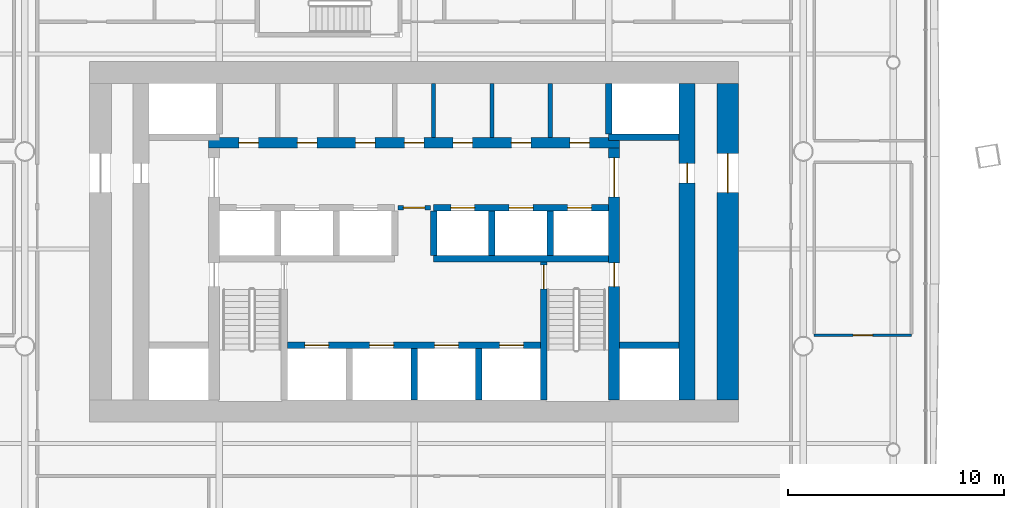
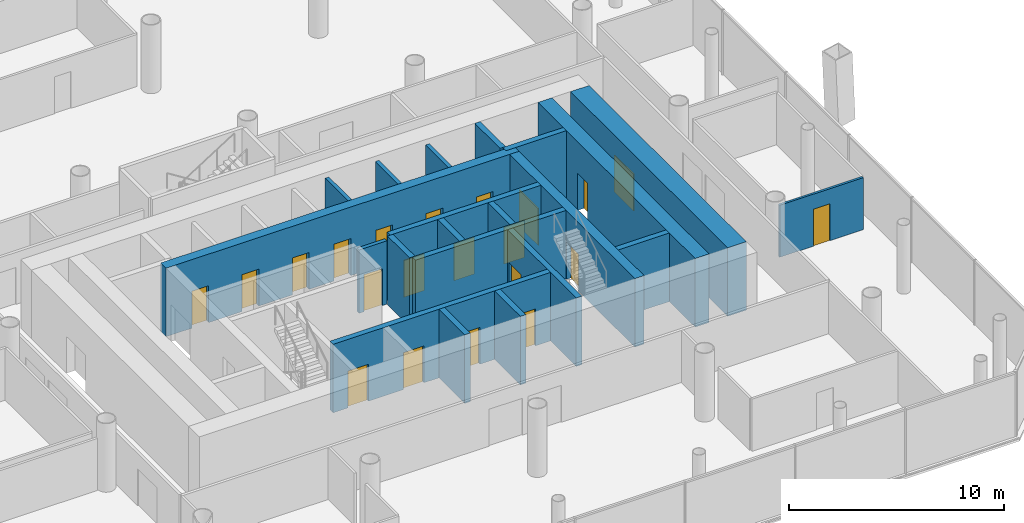
# One storey, part 14 of 21: 21 doors, 21 walls, 21 openings.
"""IFC4 building model written with IfcOpenShell, lengths in metres."""

from ifc_helpers import new_model, si_unit, direction, frame, frame_2d, origin, place, context, subcontext, project, spatial, rectangle, extrude, material, layer, layer_set, type_object, element, fill, save


model = new_model("IFC4")

# Units and contexts
model_context = context("Model", 3, precision=1e-05, world=origin(), true_north=direction((0.0, 1.0)))
body_context = subcontext(model_context, "Body", "Model", "MODEL_VIEW")
ifc_project = project(units=[si_unit("LENGTHUNIT", "METRE"), si_unit("AREAUNIT", "SQUARE_METRE"), si_unit("VOLUMEUNIT", "CUBIC_METRE"), si_unit("PLANEANGLEUNIT", "RADIAN"), si_unit("MASSUNIT", "GRAM", prefix="KILO")], contexts=[model_context])

# Site, building, storey
site_placement = place(None, origin())
site = spatial("IfcSite", under=ifc_project, at=site_placement, CompositionType="ELEMENT")
building_placement = place(site_placement, origin())
building = spatial("IfcBuilding", under=site, at=building_placement, Name="Tskaro Facet Tower", CompositionType="ELEMENT")
storey_placement = place(building_placement, frame((0.0, 0.0, 38.10009765625)))
storey = spatial("IfcBuildingStorey", under=building, at=storey_placement, Name="L08", CompositionType="ELEMENT", Elevation=38.10009765625)

# Wall, openings, doors
ifc_material_1 = material(Name="Concrete C60/75", Category="concrete")
ifc_layer_1 = layer(ifc_material_1, 0.300048828125, Name="Concrete C60/75")
ifc_layer_set_1 = layer_set([ifc_layer_1], Name="Concrete C60/75")
wall_type_1 = type_object("IfcWallType", Name="CORE-SHAFT", PredefinedType="SHEAR", material=ifc_layer_set_1)
wall_1_placement = place(storey_placement, frame((-5.85009765625, -8.949951171875, 0.0), z_axis=(0.0, 0.0, 1.0), x_axis=(1.0, 0.0, 0.0)))
wall_1 = element("IfcWall", 1, at=wall_1_placement, inside=storey, type_object=wall_type_1, Name="Shaft wall W006", PredefinedType="SHEAR", context=body_context, shape_type="SweptSolid", body=[
    extrude(rectangle(XDim=11.7001953125, YDim=0.300048828125, at=frame_2d((5.85009765625, 0.0))), origin(), (0.0, 0.0, 1.0), 3.89990234375),
])
opening_1_placement = place(wall_1_placement, frame((0.800048828125, 0.0, 0.0)))
opening_1 = element("IfcOpeningElement", 2, at=opening_1_placement, cuts=wall_1, Name="Opening LD-FF1", PredefinedType="OPENING", context=body_context, shape_type="SweptSolid", body=[
    extrude(rectangle(XDim=1.10009765625, YDim=2.10009765625, at=frame_2d((0.550048828125, 1.050048828125))), frame((0.0, 0.159912109375, 0.0), z_axis=(0.0, -1.0, 0.0), x_axis=(1.0, 0.0, 0.0)), (0.0, 0.0, 1.0), 0.320068359375),
])
opening_2_placement = place(wall_1_placement, frame((3.800048828125, 0.0, 0.0)))
opening_2 = element("IfcOpeningElement", 3, at=opening_2_placement, cuts=wall_1, Name="Opening LD-FF2", PredefinedType="OPENING", context=body_context, shape_type="SweptSolid", body=[
    extrude(rectangle(XDim=1.10009765625, YDim=2.10009765625, at=frame_2d((0.550048828125, 1.050048828125))), frame((0.0, 0.159912109375, 0.0), z_axis=(0.0, -1.0, 0.0), x_axis=(1.0, 0.0, 0.0)), (0.0, 0.0, 1.0), 0.320068359375),
])
opening_3_placement = place(wall_1_placement, frame((6.800048828125, 0.0, 0.0)))
opening_3 = element("IfcOpeningElement", 4, at=opening_3_placement, cuts=wall_1, Name="Opening LD-SV1", PredefinedType="OPENING", context=body_context, shape_type="SweptSolid", body=[
    extrude(rectangle(XDim=1.10009765625, YDim=2.10009765625, at=frame_2d((0.550048828125, 1.050048828125))), frame((0.0, 0.159912109375, 0.0), z_axis=(0.0, -1.0, 0.0), x_axis=(1.0, 0.0, 0.0)), (0.0, 0.0, 1.0), 0.320068359375),
])
opening_4_placement = place(wall_1_placement, frame((9.800048828125, 0.0, 0.0)))
opening_4 = element("IfcOpeningElement", 5, at=opening_4_placement, cuts=wall_1, Name="Opening LD-SV2", PredefinedType="OPENING", context=body_context, shape_type="SweptSolid", body=[
    extrude(rectangle(XDim=1.10009765625, YDim=2.10009765625, at=frame_2d((0.550048828125, 1.050048828125))), frame((0.0, 0.159912109375, 0.0), z_axis=(0.0, -1.0, 0.0), x_axis=(1.0, 0.0, 0.0)), (0.0, 0.0, 1.0), 0.320068359375),
])
ifc_material_2 = material(Name="Stainless steel", Category="steel")
door_type_1 = type_object("IfcDoorType", Name="D-LANDING", OperationType="NOTDEFINED", PredefinedType="DOOR", material=ifc_material_2)
door_1_placement = place(opening_1_placement, origin())
door_1 = element("IfcDoor", 6, at=door_1_placement, inside=storey, type_object=door_type_1, Name="Landing door FF1", OperationType="DOUBLE_DOOR_SLIDING", OverallHeight=2.10009765625, OverallWidth=1.10009765625, PredefinedType="DOOR", context=body_context, shape_type="SweptSolid", body=[
    extrude(rectangle(XDim=1.10009765625, YDim=2.10009765625, at=frame_2d((0.550048828125, 1.050048828125))), frame((0.0, 0.02490234375, 0.0), z_axis=(0.0, -1.0, 0.0), x_axis=(1.0, 0.0, 0.0)), (0.0, 0.0, 1.0), 0.050048828125),
])
fill(opening_1, door_1)
door_2_placement = place(opening_2_placement, origin())
door_2 = element("IfcDoor", 7, at=door_2_placement, inside=storey, type_object=door_type_1, Name="Landing door FF2", OperationType="DOUBLE_DOOR_SLIDING", OverallHeight=2.10009765625, OverallWidth=1.10009765625, PredefinedType="DOOR", context=body_context, shape_type="SweptSolid", body=[
    extrude(rectangle(XDim=1.10009765625, YDim=2.10009765625, at=frame_2d((0.550048828125, 1.050048828125))), frame((0.0, 0.02490234375, 0.0), z_axis=(0.0, -1.0, 0.0), x_axis=(1.0, 0.0, 0.0)), (0.0, 0.0, 1.0), 0.050048828125),
])
fill(opening_2, door_2)
door_3_placement = place(opening_3_placement, origin())
door_3 = element("IfcDoor", 8, at=door_3_placement, inside=storey, type_object=door_type_1, Name="Landing door SV1", OperationType="DOUBLE_DOOR_SLIDING", OverallHeight=2.10009765625, OverallWidth=1.10009765625, PredefinedType="DOOR", context=body_context, shape_type="SweptSolid", body=[
    extrude(rectangle(XDim=1.10009765625, YDim=2.10009765625, at=frame_2d((0.550048828125, 1.050048828125))), frame((0.0, 0.02490234375, 0.0), z_axis=(0.0, -1.0, 0.0), x_axis=(1.0, 0.0, 0.0)), (0.0, 0.0, 1.0), 0.050048828125),
])
fill(opening_3, door_3)
door_4_placement = place(opening_4_placement, origin())
door_4 = element("IfcDoor", 9, at=door_4_placement, inside=storey, type_object=door_type_1, Name="Landing door SV2", OperationType="DOUBLE_DOOR_SLIDING", OverallHeight=2.10009765625, OverallWidth=1.10009765625, PredefinedType="DOOR", context=body_context, shape_type="SweptSolid", body=[
    extrude(rectangle(XDim=1.10009765625, YDim=2.10009765625, at=frame_2d((0.550048828125, 1.050048828125))), frame((0.0, 0.02490234375, 0.0), z_axis=(0.0, -1.0, 0.0), x_axis=(1.0, 0.0, 0.0)), (0.0, 0.0, 1.0), 0.050048828125),
])
fill(opening_4, door_4)

# Walls
wall_2_placement = place(storey_placement, frame((9.5, -8.949951171875, 0.0), z_axis=(0.0, 0.0, 1.0), x_axis=(1.0, 0.0, 0.0)))
element("IfcWall", 10, at=wall_2_placement, inside=storey, type_object=wall_type_1, Name="Shaft wall W007", PredefinedType="SHEAR", context=body_context, shape_type="SweptSolid", body=[
    extrude(rectangle(XDim=2.75, YDim=0.300048828125, at=frame_2d((1.375, 0.0))), origin(), (0.0, 0.0, 1.0), 3.89990234375),
])
wall_3_placement = place(storey_placement, frame((0.89990234375, -4.949951171875, 0.0), z_axis=(0.0, 0.0, 1.0), x_axis=(1.0, 0.0, 0.0)))
element("IfcWall", 11, at=wall_3_placement, inside=storey, type_object=wall_type_1, Name="Shaft wall W011", PredefinedType="SHEAR", context=body_context, shape_type="SweptSolid", body=[
    extrude(rectangle(XDim=8.10009765625, YDim=0.300048828125, at=frame_2d((4.050048828125, 0.0))), origin(), (0.0, 0.0, 1.0), 3.89990234375),
])

# Wall, openings, doors
wall_4_placement = place(storey_placement, frame((0.89990234375, -2.60009765625, 0.0), z_axis=(0.0, 0.0, 1.0), x_axis=(1.0, 0.0, 0.0)))
wall_4 = element("IfcWall", 12, at=wall_4_placement, inside=storey, type_object=wall_type_1, Name="Shaft wall W014", PredefinedType="SHEAR", context=body_context, shape_type="SweptSolid", body=[
    extrude(rectangle(XDim=8.10009765625, YDim=0.300048828125, at=frame_2d((4.050048828125, 0.0))), origin(), (0.0, 0.0, 1.0), 3.89990234375),
])
opening_5_placement = place(wall_4_placement, frame((0.800048828125, 0.0, 0.0)))
opening_5 = element("IfcOpeningElement", 13, at=opening_5_placement, cuts=wall_4, Name="Opening LD-LR4", PredefinedType="OPENING", context=body_context, shape_type="SweptSolid", body=[
    extrude(rectangle(XDim=1.10009765625, YDim=2.10009765625, at=frame_2d((0.550048828125, 1.050048828125))), frame((0.0, 0.159912109375, 0.0), z_axis=(0.0, -1.0, 0.0), x_axis=(1.0, 0.0, 0.0)), (0.0, 0.0, 1.0), 0.320068359375),
])
opening_6_placement = place(wall_4_placement, frame((3.5, 0.0, 0.0)))
opening_6 = element("IfcOpeningElement", 14, at=opening_6_placement, cuts=wall_4, Name="Opening LD-LR5", PredefinedType="OPENING", context=body_context, shape_type="SweptSolid", body=[
    extrude(rectangle(XDim=1.10009765625, YDim=2.10009765625, at=frame_2d((0.550048828125, 1.050048828125))), frame((0.0, 0.159912109375, 0.0), z_axis=(0.0, -1.0, 0.0), x_axis=(1.0, 0.0, 0.0)), (0.0, 0.0, 1.0), 0.320068359375),
])
opening_7_placement = place(wall_4_placement, frame((6.199951171875, 0.0, 0.0)))
opening_7 = element("IfcOpeningElement", 15, at=opening_7_placement, cuts=wall_4, Name="Opening LD-LR6", PredefinedType="OPENING", context=body_context, shape_type="SweptSolid", body=[
    extrude(rectangle(XDim=1.10009765625, YDim=2.10009765625, at=frame_2d((0.550048828125, 1.050048828125))), frame((0.0, 0.159912109375, 0.0), z_axis=(0.0, -1.0, 0.0), x_axis=(1.0, 0.0, 0.0)), (0.0, 0.0, 1.0), 0.320068359375),
])
door_5_placement = place(opening_5_placement, origin())
door_5 = element("IfcDoor", 16, at=door_5_placement, inside=storey, type_object=door_type_1, Name="Landing door LR4", OperationType="DOUBLE_DOOR_SLIDING", OverallHeight=2.10009765625, OverallWidth=1.10009765625, PredefinedType="DOOR", context=body_context, shape_type="SweptSolid", body=[
    extrude(rectangle(XDim=1.10009765625, YDim=2.10009765625, at=frame_2d((0.550048828125, 1.050048828125))), frame((0.0, 0.02490234375, 0.0), z_axis=(0.0, -1.0, 0.0), x_axis=(1.0, 0.0, 0.0)), (0.0, 0.0, 1.0), 0.050048828125),
])
fill(opening_5, door_5)
door_6_placement = place(opening_6_placement, origin())
door_6 = element("IfcDoor", 17, at=door_6_placement, inside=storey, type_object=door_type_1, Name="Landing door LR5", OperationType="DOUBLE_DOOR_SLIDING", OverallHeight=2.10009765625, OverallWidth=1.10009765625, PredefinedType="DOOR", context=body_context, shape_type="SweptSolid", body=[
    extrude(rectangle(XDim=1.10009765625, YDim=2.10009765625, at=frame_2d((0.550048828125, 1.050048828125))), frame((0.0, 0.02490234375, 0.0), z_axis=(0.0, -1.0, 0.0), x_axis=(1.0, 0.0, 0.0)), (0.0, 0.0, 1.0), 0.050048828125),
])
fill(opening_6, door_6)
door_7_placement = place(opening_7_placement, origin())
door_7 = element("IfcDoor", 18, at=door_7_placement, inside=storey, type_object=door_type_1, Name="Landing door LR6", OperationType="DOUBLE_DOOR_SLIDING", OverallHeight=2.10009765625, OverallWidth=1.10009765625, PredefinedType="DOOR", context=body_context, shape_type="SweptSolid", body=[
    extrude(rectangle(XDim=1.10009765625, YDim=2.10009765625, at=frame_2d((0.550048828125, 1.050048828125))), frame((0.0, 0.02490234375, 0.0), z_axis=(0.0, -1.0, 0.0), x_axis=(1.0, 0.0, 0.0)), (0.0, 0.0, 1.0), 0.050048828125),
])
fill(opening_7, door_7)

# Walls
wall_5_placement = place(storey_placement, frame((12.25, 0.64990234375, 0.0), z_axis=(0.0, 0.0, 1.0), x_axis=(-1.0, 0.0, 0.0)))
element("IfcWall", 19, at=wall_5_placement, inside=storey, type_object=wall_type_1, Name="Shaft wall W020", PredefinedType="SHEAR", context=body_context, shape_type="SweptSolid", body=[
    extrude(rectangle(XDim=3.25, YDim=0.300048828125, at=frame_2d((1.625, 0.0))), origin(), (0.0, 0.0, 1.0), 3.89990234375),
])
wall_6_placement = place(storey_placement, frame((0.0, -11.5, 0.0), z_axis=(0.0, 0.0, 1.0), x_axis=(0.0, 1.0, 0.0)))
element("IfcWall", 20, at=wall_6_placement, inside=storey, type_object=wall_type_1, Name="Shaft wall W059", PredefinedType="SHEAR", context=body_context, shape_type="SweptSolid", body=[
    extrude(rectangle(XDim=2.39990234375, YDim=0.300048828125, at=frame_2d((1.199951171875, 0.0))), origin(), (0.0, 0.0, 1.0), 3.89990234375),
])
wall_7_placement = place(storey_placement, frame((0.89990234375, -4.800048828125, 0.0), z_axis=(0.0, 0.0, 1.0), x_axis=(0.0, 1.0, 0.0)))
element("IfcWall", 21, at=wall_7_placement, inside=storey, type_object=wall_type_1, Name="Shaft wall W060", PredefinedType="SHEAR", context=body_context, shape_type="SweptSolid", body=[
    extrude(rectangle(XDim=2.050048828125, YDim=0.300048828125, at=frame_2d((1.02490234375, 0.0))), origin(), (0.0, 0.0, 1.0), 3.89990234375),
])
wall_8_placement = place(storey_placement, frame((3.0, -11.5, 0.0), z_axis=(0.0, 0.0, 1.0), x_axis=(0.0, 1.0, 0.0)))
element("IfcWall", 22, at=wall_8_placement, inside=storey, type_object=wall_type_1, Name="Shaft wall W063", PredefinedType="SHEAR", context=body_context, shape_type="SweptSolid", body=[
    extrude(rectangle(XDim=2.39990234375, YDim=0.300048828125, at=frame_2d((1.199951171875, 0.0))), origin(), (0.0, 0.0, 1.0), 3.89990234375),
])
wall_9_placement = place(storey_placement, frame((3.60009765625, -4.800048828125, 0.0), z_axis=(0.0, 0.0, 1.0), x_axis=(0.0, 1.0, 0.0)))
element("IfcWall", 23, at=wall_9_placement, inside=storey, type_object=wall_type_1, Name="Shaft wall W064", PredefinedType="SHEAR", context=body_context, shape_type="SweptSolid", body=[
    extrude(rectangle(XDim=2.050048828125, YDim=0.300048828125, at=frame_2d((1.02490234375, 0.0))), origin(), (0.0, 0.0, 1.0), 3.89990234375),
])

# Wall, opening, door
wall_10_placement = place(storey_placement, frame((6.0, -5.10009765625, 0.0), z_axis=(0.0, 0.0, 1.0), x_axis=(0.0, -1.0, 0.0)))
wall_10 = element("IfcWall", 24, at=wall_10_placement, inside=storey, type_object=wall_type_1, Name="Shaft wall W066", PredefinedType="SHEAR", context=body_context, shape_type="SweptSolid", body=[
    extrude(rectangle(XDim=6.39990234375, YDim=0.300048828125, at=frame_2d((3.199951171875, 0.0))), origin(), (0.0, 0.0, 1.0), 3.89990234375),
])
opening_8_placement = place(wall_10_placement, frame((0.14990234375, 0.0, 0.0)))
opening_8 = element("IfcOpeningElement", 25, at=opening_8_placement, cuts=wall_10, Name="Opening ST-2-D1", PredefinedType="OPENING", context=body_context, shape_type="SweptSolid", body=[
    extrude(rectangle(XDim=1.10009765625, YDim=2.10009765625, at=frame_2d((0.550048828125, 1.050048828125))), frame((0.0, 0.159912109375, 0.0), z_axis=(0.0, -1.0, 0.0), x_axis=(1.0, 0.0, 0.0)), (0.0, 0.0, 1.0), 0.320068359375),
])
ifc_material_3 = material(Name="Steel", Category="steel")
door_type_2 = type_object("IfcDoorType", Name="D-STAIR", OperationType="NOTDEFINED", PredefinedType="DOOR", material=ifc_material_3)
door_8_placement = place(opening_8_placement, origin())
door_8 = element("IfcDoor", 26, at=door_8_placement, inside=storey, type_object=door_type_2, Name="Stair door 2", OperationType="SINGLE_SWING_RIGHT", OverallHeight=2.10009765625, OverallWidth=1.10009765625, PredefinedType="DOOR", context=body_context, shape_type="SweptSolid", body=[
    extrude(rectangle(XDim=1.10009765625, YDim=2.10009765625, at=frame_2d((0.550048828125, 1.050048828125))), frame((0.0, 0.02490234375, 0.0), z_axis=(0.0, -1.0, 0.0), x_axis=(1.0, 0.0, 0.0)), (0.0, 0.0, 1.0), 0.050048828125),
])
fill(opening_8, door_8)

# Walls
wall_11_placement = place(storey_placement, frame((6.300048828125, -4.800048828125, 0.0), z_axis=(0.0, 0.0, 1.0), x_axis=(0.0, 1.0, 0.0)))
element("IfcWall", 27, at=wall_11_placement, inside=storey, type_object=wall_type_1, Name="Shaft wall W067", PredefinedType="SHEAR", context=body_context, shape_type="SweptSolid", body=[
    extrude(rectangle(XDim=2.050048828125, YDim=0.300048828125, at=frame_2d((1.02490234375, 0.0))), origin(), (0.0, 0.0, 1.0), 3.89990234375),
])
wall_12_placement = place(storey_placement, frame((9.0, 0.800048828125, 0.0), z_axis=(0.0, 0.0, 1.0), x_axis=(0.0, 1.0, 0.0)))
element("IfcWall", 28, at=wall_12_placement, inside=storey, type_object=wall_type_1, Name="Shaft wall W070", PredefinedType="SHEAR", context=body_context, shape_type="SweptSolid", body=[
    extrude(rectangle(XDim=2.349853515625, YDim=0.300048828125, at=frame_2d((1.1748046875, 0.0))), origin(), (0.0, 0.0, 1.0), 3.89990234375),
])

# Wall, opening, door
ifc_material_4 = material(Name="Concrete C20/25", Category="concrete")
ifc_layer_2 = layer(ifc_material_4, 0.199951171875, Name="Concrete C20/25")
ifc_layer_set_2 = layer_set([ifc_layer_2], Name="Concrete C20/25")
wall_type_2 = type_object("IfcWallType", Name="CORE-WALL", PredefinedType="SOLIDWALL", material=ifc_layer_set_2)
wall_13_placement = place(storey_placement, frame((0.75, -2.60009765625, 0.0), z_axis=(0.0, 0.0, 1.0), x_axis=(-1.0, 0.0, 0.0)))
wall_13 = element("IfcWall", 29, at=wall_13_placement, inside=storey, type_object=wall_type_2, Name="Core room wall W013", PredefinedType="SOLIDWALL", context=body_context, shape_type="SweptSolid", body=[
    extrude(rectangle(XDim=1.5, YDim=0.199951171875, at=frame_2d((0.75, 0.0))), origin(), (0.0, 0.0, 1.0), 3.599853515625),
])
opening_9_placement = place(wall_13_placement, frame((0.25, 0.0, 0.0)))
opening_9 = element("IfcOpeningElement", 30, at=opening_9_placement, cuts=wall_13, Name="Opening FL-D1", PredefinedType="OPENING", context=body_context, shape_type="SweptSolid", body=[
    extrude(rectangle(XDim=1.0, YDim=2.10009765625, at=frame_2d((0.5, 1.050048828125))), frame((0.0, 0.10986328125, 0.0), z_axis=(0.0, -1.0, 0.0), x_axis=(1.0, 0.0, 0.0)), (0.0, 0.0, 1.0), 0.219970703125),
])
door_type_3 = type_object("IfcDoorType", Name="D-LOBBY", OperationType="NOTDEFINED", PredefinedType="DOOR", material=ifc_material_3)
door_9_placement = place(opening_9_placement, origin())
door_9 = element("IfcDoor", 31, at=door_9_placement, inside=storey, type_object=door_type_3, Name="Lobby door FL", OperationType="SINGLE_SWING_RIGHT", OverallHeight=2.10009765625, OverallWidth=1.0, PredefinedType="DOOR", context=body_context, shape_type="SweptSolid", body=[
    extrude(rectangle(XDim=1.0, YDim=2.10009765625, at=frame_2d((0.5, 1.050048828125))), frame((0.0, 0.02490234375, 0.0), z_axis=(0.0, -1.0, 0.0), x_axis=(1.0, 0.0, 0.0)), (0.0, 0.0, 1.0), 0.050048828125),
])
fill(opening_9, door_9)

# Walls
for number, where, z_axis, x_axis, name in (
    (32, (0.89990234375, 0.64990234375, 0.0), (0.0, 0.0, 1.0), (0.0, 1.0, 0.0), "Core room wall W061"),
    (33, (3.60009765625, 0.64990234375, 0.0), (0.0, 0.0, 1.0), (0.0, 1.0, 0.0), "Core room wall W065"),
    (34, (6.300048828125, 0.64990234375, 0.0), (0.0, 0.0, 1.0), (0.0, 1.0, 0.0), "Core room wall W068"),
):
    element("IfcWall", number, at=place(storey_placement, frame(where, z_axis=z_axis, x_axis=x_axis)), inside=storey, type_object=wall_type_2, Name=name, PredefinedType="SOLIDWALL", context=body_context, shape_type="SweptSolid", body=[
        extrude(rectangle(XDim=2.5, YDim=0.199951171875, at=frame_2d((1.25, 0.0))), origin(), (0.0, 0.0, 1.0), 3.599853515625),
    ])

# Wall, opening, door
ifc_layer_3 = layer(ifc_material_1, 1.0, Name="Concrete C60/75")
ifc_layer_set_3 = layer_set([ifc_layer_3], Name="Concrete C60/75")
wall_type_3 = type_object("IfcWallType", Name="Core wall 1000", PredefinedType="SHEAR", material=ifc_layer_set_3)
wall_14_placement = place(storey_placement, frame((14.5, -11.5, 0.0), z_axis=(0.0, 0.0, 1.0), x_axis=(0.0, 1.0, 0.0)))
wall_14 = element("IfcWall", 35, at=wall_14_placement, inside=storey, type_object=wall_type_3, Name="Core wall CW-Z1E", PredefinedType="SHEAR", context=body_context, shape_type="SweptSolid", body=[
    extrude(rectangle(XDim=14.64990234375, YDim=1.0, at=frame_2d((7.324951171875, 0.0))), origin(), (0.0, 0.0, 1.0), 3.89990234375),
])
opening_10_placement = place(wall_14_placement, frame((9.60009765625, 0.0, 0.0)))
opening_10 = element("IfcOpeningElement", 36, at=opening_10_placement, cuts=wall_14, Name="Opening T2-D19", PredefinedType="OPENING", context=body_context, shape_type="SweptSolid", body=[
    extrude(rectangle(XDim=1.800048828125, YDim=2.10009765625, at=frame_2d((0.89990234375, 1.050048828125))), frame((0.0, 0.510009765625, 0.0), z_axis=(0.0, -1.0, 0.0), x_axis=(1.0, 0.0, 0.0)), (0.0, 0.0, 1.0), 1.02001953125),
])
door_type_4 = type_object("IfcDoorType", Name="D-CORE-PAIR", OperationType="NOTDEFINED", PredefinedType="DOOR", material=ifc_material_3)
door_10_placement = place(opening_10_placement, origin())
door_10 = element("IfcDoor", 37, at=door_10_placement, inside=storey, type_object=door_type_4, Name="Door T2-D19", OperationType="DOUBLE_DOOR_SINGLE_SWING", OverallHeight=2.10009765625, OverallWidth=1.800048828125, PredefinedType="DOOR", context=body_context, shape_type="SweptSolid", body=[
    extrude(rectangle(XDim=1.800048828125, YDim=2.10009765625, at=frame_2d((0.89990234375, 1.050048828125))), frame((0.0, 0.02490234375, 0.0), z_axis=(0.0, -1.0, 0.0), x_axis=(1.0, 0.0, 0.0)), (0.0, 0.0, 1.0), 0.050048828125),
])
fill(opening_10, door_10)

# Wall, openings, doors
ifc_material_5 = material(Name="Concrete C40/50", Category="concrete")
ifc_layer_4 = layer(ifc_material_5, 0.5, Name="Concrete C40/50")
ifc_layer_set_4 = layer_set([ifc_layer_4], Name="Concrete C40/50")
wall_type_4 = type_object("IfcWallType", Name="Core wall 500", PredefinedType="SHEAR", material=ifc_layer_set_4)
wall_15_placement = place(storey_placement, frame((-9.5, 0.39990234375, 0.0), z_axis=(0.0, 0.0, 1.0), x_axis=(1.0, 0.0, 0.0)))
wall_15 = element("IfcWall", 38, at=wall_15_placement, inside=storey, type_object=wall_type_4, Name="Core wall CW-Z3N", PredefinedType="SHEAR", context=body_context, shape_type="SweptSolid", body=[
    extrude(rectangle(XDim=19.0, YDim=0.5, at=frame_2d((9.5, 0.0))), origin(), (0.0, 0.0, 1.0), 3.89990234375),
])
opening_11_placement = place(wall_15_placement, frame((1.39990234375, 0.0, 0.0)))
opening_11 = element("IfcOpeningElement", 39, at=opening_11_placement, cuts=wall_15, Name="Opening T2-D20", PredefinedType="OPENING", context=body_context, shape_type="SweptSolid", body=[
    extrude(rectangle(XDim=0.89990234375, YDim=2.10009765625, at=frame_2d((0.449951171875, 1.050048828125))), frame((0.0, 0.260009765625, 0.0), z_axis=(0.0, -1.0, 0.0), x_axis=(1.0, 0.0, 0.0)), (0.0, 0.0, 1.0), 0.52001953125),
])
opening_12_placement = place(wall_15_placement, frame((4.10009765625, 0.0, 0.0)))
opening_12 = element("IfcOpeningElement", 40, at=opening_12_placement, cuts=wall_15, Name="Opening T2-D21", PredefinedType="OPENING", context=body_context, shape_type="SweptSolid", body=[
    extrude(rectangle(XDim=0.89990234375, YDim=2.10009765625, at=frame_2d((0.449951171875, 1.050048828125))), frame((0.0, 0.260009765625, 0.0), z_axis=(0.0, -1.0, 0.0), x_axis=(1.0, 0.0, 0.0)), (0.0, 0.0, 1.0), 0.52001953125),
])
opening_13_placement = place(wall_15_placement, frame((6.800048828125, 0.0, 0.0)))
opening_13 = element("IfcOpeningElement", 41, at=opening_13_placement, cuts=wall_15, Name="Opening T2-D22", PredefinedType="OPENING", context=body_context, shape_type="SweptSolid", body=[
    extrude(rectangle(XDim=0.89990234375, YDim=2.10009765625, at=frame_2d((0.449951171875, 1.050048828125))), frame((0.0, 0.260009765625, 0.0), z_axis=(0.0, -1.0, 0.0), x_axis=(1.0, 0.0, 0.0)), (0.0, 0.0, 1.0), 0.52001953125),
])
opening_14_placement = place(wall_15_placement, frame((11.300048828125, 0.0, 0.0)))
opening_14 = element("IfcOpeningElement", 42, at=opening_14_placement, cuts=wall_15, Name="Opening T2-D24", PredefinedType="OPENING", context=body_context, shape_type="SweptSolid", body=[
    extrude(rectangle(XDim=0.89990234375, YDim=2.10009765625, at=frame_2d((0.449951171875, 1.050048828125))), frame((0.0, 0.260009765625, 0.0), z_axis=(0.0, -1.0, 0.0), x_axis=(1.0, 0.0, 0.0)), (0.0, 0.0, 1.0), 0.52001953125),
])
opening_15_placement = place(wall_15_placement, frame((14.0, 0.0, 0.0)))
opening_15 = element("IfcOpeningElement", 43, at=opening_15_placement, cuts=wall_15, Name="Opening T2-D25", PredefinedType="OPENING", context=body_context, shape_type="SweptSolid", body=[
    extrude(rectangle(XDim=0.89990234375, YDim=2.10009765625, at=frame_2d((0.449951171875, 1.050048828125))), frame((0.0, 0.260009765625, 0.0), z_axis=(0.0, -1.0, 0.0), x_axis=(1.0, 0.0, 0.0)), (0.0, 0.0, 1.0), 0.52001953125),
])
opening_16_placement = place(wall_15_placement, frame((16.699951171875, 0.0, 0.0)))
opening_16 = element("IfcOpeningElement", 44, at=opening_16_placement, cuts=wall_15, Name="Opening T2-D26", PredefinedType="OPENING", context=body_context, shape_type="SweptSolid", body=[
    extrude(rectangle(XDim=0.89990234375, YDim=2.10009765625, at=frame_2d((0.449951171875, 1.050048828125))), frame((0.0, 0.260009765625, 0.0), z_axis=(0.0, -1.0, 0.0), x_axis=(1.0, 0.0, 0.0)), (0.0, 0.0, 1.0), 0.52001953125),
])
opening_17_placement = place(wall_15_placement, frame((9.050048828125, 0.0, 0.0)))
opening_17 = element("IfcOpeningElement", 45, at=opening_17_placement, cuts=wall_15, Name="Opening T2-D23", PredefinedType="OPENING", context=body_context, shape_type="SweptSolid", body=[
    extrude(rectangle(XDim=0.89990234375, YDim=2.10009765625, at=frame_2d((0.449951171875, 1.050048828125))), frame((0.0, 0.260009765625, 0.0), z_axis=(0.0, -1.0, 0.0), x_axis=(1.0, 0.0, 0.0)), (0.0, 0.0, 1.0), 0.52001953125),
])
door_type_5 = type_object("IfcDoorType", Name="D-RISER", OperationType="NOTDEFINED", PredefinedType="DOOR", material=ifc_material_3)
door_11_placement = place(opening_17_placement, origin())
door_11 = element("IfcDoor", 46, at=door_11_placement, inside=storey, type_object=door_type_5, Name="Door T2-D23", OperationType="SINGLE_SWING_LEFT", OverallHeight=2.10009765625, OverallWidth=0.89990234375, PredefinedType="DOOR", context=body_context, shape_type="SweptSolid", body=[
    extrude(rectangle(XDim=0.89990234375, YDim=2.10009765625, at=frame_2d((0.449951171875, 1.050048828125))), frame((0.0, 0.02490234375, 0.0), z_axis=(0.0, -1.0, 0.0), x_axis=(1.0, 0.0, 0.0)), (0.0, 0.0, 1.0), 0.050048828125),
])
fill(opening_17, door_11)
ifc_material_6 = material(Name="Timber", Category="wood")
door_type_6 = type_object("IfcDoorType", Name="D-ROOM", OperationType="NOTDEFINED", PredefinedType="DOOR", material=ifc_material_6)
door_12_placement = place(opening_11_placement, origin())
door_12 = element("IfcDoor", 47, at=door_12_placement, inside=storey, type_object=door_type_6, Name="Door T2-D20", OperationType="SINGLE_SWING_LEFT", OverallHeight=2.10009765625, OverallWidth=0.89990234375, PredefinedType="DOOR", context=body_context, shape_type="SweptSolid", body=[
    extrude(rectangle(XDim=0.89990234375, YDim=2.10009765625, at=frame_2d((0.449951171875, 1.050048828125))), frame((0.0, 0.02490234375, 0.0), z_axis=(0.0, -1.0, 0.0), x_axis=(1.0, 0.0, 0.0)), (0.0, 0.0, 1.0), 0.050048828125),
])
fill(opening_11, door_12)
door_13_placement = place(opening_12_placement, origin())
door_13 = element("IfcDoor", 48, at=door_13_placement, inside=storey, type_object=door_type_6, Name="Door T2-D21", OperationType="SINGLE_SWING_LEFT", OverallHeight=2.10009765625, OverallWidth=0.89990234375, PredefinedType="DOOR", context=body_context, shape_type="SweptSolid", body=[
    extrude(rectangle(XDim=0.89990234375, YDim=2.10009765625, at=frame_2d((0.449951171875, 1.050048828125))), frame((0.0, 0.02490234375, 0.0), z_axis=(0.0, -1.0, 0.0), x_axis=(1.0, 0.0, 0.0)), (0.0, 0.0, 1.0), 0.050048828125),
])
fill(opening_12, door_13)
door_14_placement = place(opening_13_placement, origin())
door_14 = element("IfcDoor", 49, at=door_14_placement, inside=storey, type_object=door_type_6, Name="Door T2-D22", OperationType="SINGLE_SWING_LEFT", OverallHeight=2.10009765625, OverallWidth=0.89990234375, PredefinedType="DOOR", context=body_context, shape_type="SweptSolid", body=[
    extrude(rectangle(XDim=0.89990234375, YDim=2.10009765625, at=frame_2d((0.449951171875, 1.050048828125))), frame((0.0, 0.02490234375, 0.0), z_axis=(0.0, -1.0, 0.0), x_axis=(1.0, 0.0, 0.0)), (0.0, 0.0, 1.0), 0.050048828125),
])
fill(opening_13, door_14)
door_15_placement = place(opening_14_placement, origin())
door_15 = element("IfcDoor", 50, at=door_15_placement, inside=storey, type_object=door_type_6, Name="Door T2-D24", OperationType="SINGLE_SWING_LEFT", OverallHeight=2.10009765625, OverallWidth=0.89990234375, PredefinedType="DOOR", context=body_context, shape_type="SweptSolid", body=[
    extrude(rectangle(XDim=0.89990234375, YDim=2.10009765625, at=frame_2d((0.449951171875, 1.050048828125))), frame((0.0, 0.02490234375, 0.0), z_axis=(0.0, -1.0, 0.0), x_axis=(1.0, 0.0, 0.0)), (0.0, 0.0, 1.0), 0.050048828125),
])
fill(opening_14, door_15)
door_16_placement = place(opening_15_placement, origin())
door_16 = element("IfcDoor", 51, at=door_16_placement, inside=storey, type_object=door_type_6, Name="Door T2-D25", OperationType="SINGLE_SWING_LEFT", OverallHeight=2.10009765625, OverallWidth=0.89990234375, PredefinedType="DOOR", context=body_context, shape_type="SweptSolid", body=[
    extrude(rectangle(XDim=0.89990234375, YDim=2.10009765625, at=frame_2d((0.449951171875, 1.050048828125))), frame((0.0, 0.02490234375, 0.0), z_axis=(0.0, -1.0, 0.0), x_axis=(1.0, 0.0, 0.0)), (0.0, 0.0, 1.0), 0.050048828125),
])
fill(opening_15, door_16)
door_17_placement = place(opening_16_placement, origin())
door_17 = element("IfcDoor", 52, at=door_17_placement, inside=storey, type_object=door_type_6, Name="Door T2-D26", OperationType="SINGLE_SWING_LEFT", OverallHeight=2.10009765625, OverallWidth=0.89990234375, PredefinedType="DOOR", context=body_context, shape_type="SweptSolid", body=[
    extrude(rectangle(XDim=0.89990234375, YDim=2.10009765625, at=frame_2d((0.449951171875, 1.050048828125))), frame((0.0, 0.02490234375, 0.0), z_axis=(0.0, -1.0, 0.0), x_axis=(1.0, 0.0, 0.0)), (0.0, 0.0, 1.0), 0.050048828125),
])
fill(opening_16, door_17)

wall_16_placement = place(storey_placement, frame((9.25, -11.5, 0.0), z_axis=(0.0, 0.0, 1.0), x_axis=(0.0, 1.0, 0.0)))
wall_16 = element("IfcWall", 53, at=wall_16_placement, inside=storey, type_object=wall_type_4, Name="Core wall CW-Z3E", PredefinedType="SHEAR", context=body_context, shape_type="SweptSolid", body=[
    extrude(rectangle(XDim=11.64990234375, YDim=0.5, at=frame_2d((5.824951171875, 0.0))), origin(), (0.0, 0.0, 1.0), 3.89990234375),
])
opening_18_placement = place(wall_16_placement, frame((9.39990234375, 0.0, 0.0)))
opening_18 = element("IfcOpeningElement", 54, at=opening_18_placement, cuts=wall_16, Name="Opening T2-D15", PredefinedType="OPENING", context=body_context, shape_type="SweptSolid", body=[
    extrude(rectangle(XDim=1.800048828125, YDim=2.10009765625, at=frame_2d((0.89990234375, 1.050048828125))), frame((0.0, 0.260009765625, 0.0), z_axis=(0.0, -1.0, 0.0), x_axis=(1.0, 0.0, 0.0)), (0.0, 0.0, 1.0), 0.52001953125),
])
opening_19_placement = place(wall_16_placement, frame((5.25, 0.0, 0.0)))
opening_19 = element("IfcOpeningElement", 55, at=opening_19_placement, cuts=wall_16, Name="Opening ST-2-D2", PredefinedType="OPENING", context=body_context, shape_type="SweptSolid", body=[
    extrude(rectangle(XDim=1.10009765625, YDim=2.10009765625, at=frame_2d((0.550048828125, 1.050048828125))), frame((0.0, 0.260009765625, 0.0), z_axis=(0.0, -1.0, 0.0), x_axis=(1.0, 0.0, 0.0)), (0.0, 0.0, 1.0), 0.52001953125),
])
door_18_placement = place(opening_18_placement, origin())
door_18 = element("IfcDoor", 56, at=door_18_placement, inside=storey, type_object=door_type_4, Name="Door T2-D15", OperationType="DOUBLE_DOOR_SINGLE_SWING", OverallHeight=2.10009765625, OverallWidth=1.800048828125, PredefinedType="DOOR", context=body_context, shape_type="SweptSolid", body=[
    extrude(rectangle(XDim=1.800048828125, YDim=2.10009765625, at=frame_2d((0.89990234375, 1.050048828125))), frame((0.0, 0.02490234375, 0.0), z_axis=(0.0, -1.0, 0.0), x_axis=(1.0, 0.0, 0.0)), (0.0, 0.0, 1.0), 0.050048828125),
])
fill(opening_18, door_18)
door_19_placement = place(opening_19_placement, origin())
door_19 = element("IfcDoor", 57, at=door_19_placement, inside=storey, type_object=door_type_2, Name="Stair door 2 east", OperationType="SINGLE_SWING_LEFT", OverallHeight=2.10009765625, OverallWidth=1.10009765625, PredefinedType="DOOR", context=body_context, shape_type="SweptSolid", body=[
    extrude(rectangle(XDim=1.10009765625, YDim=2.10009765625, at=frame_2d((0.550048828125, 1.050048828125))), frame((0.0, 0.02490234375, 0.0), z_axis=(0.0, -1.0, 0.0), x_axis=(1.0, 0.0, 0.0)), (0.0, 0.0, 1.0), 0.050048828125),
])
fill(opening_19, door_19)

# Wall, opening, door
ifc_material_7 = material(Name="Concrete C50/60", Category="concrete")
ifc_layer_5 = layer(ifc_material_7, 0.75, Name="Concrete C50/60")
ifc_layer_set_5 = layer_set([ifc_layer_5], Name="Concrete C50/60")
wall_type_5 = type_object("IfcWallType", Name="Core wall 750", PredefinedType="SHEAR", material=ifc_layer_set_5)
wall_17_placement = place(storey_placement, frame((12.625, -11.5, 0.0), z_axis=(0.0, 0.0, 1.0), x_axis=(0.0, 1.0, 0.0)))
wall_17 = element("IfcWall", 58, at=wall_17_placement, inside=storey, type_object=wall_type_5, Name="Core wall CW-Z2E", PredefinedType="SHEAR", context=body_context, shape_type="SweptSolid", body=[
    extrude(rectangle(XDim=14.64990234375, YDim=0.75, at=frame_2d((7.324951171875, 0.0))), origin(), (0.0, 0.0, 1.0), 3.89990234375),
])
opening_20_placement = place(wall_17_placement, frame((10.050048828125, 0.0, 0.0)))
opening_20 = element("IfcOpeningElement", 59, at=opening_20_placement, cuts=wall_17, Name="Opening T2-D18", PredefinedType="OPENING", context=body_context, shape_type="SweptSolid", body=[
    extrude(rectangle(XDim=0.89990234375, YDim=2.10009765625, at=frame_2d((0.449951171875, 1.050048828125))), frame((0.0, 0.385009765625, 0.0), z_axis=(0.0, -1.0, 0.0), x_axis=(1.0, 0.0, 0.0)), (0.0, 0.0, 1.0), 0.77001953125),
])
door_20_placement = place(opening_20_placement, origin())
door_20 = element("IfcDoor", 60, at=door_20_placement, inside=storey, type_object=door_type_6, Name="Door T2-D18", OperationType="SINGLE_SWING_LEFT", OverallHeight=2.10009765625, OverallWidth=0.89990234375, PredefinedType="DOOR", context=body_context, shape_type="SweptSolid", body=[
    extrude(rectangle(XDim=0.89990234375, YDim=2.10009765625, at=frame_2d((0.449951171875, 1.050048828125))), frame((0.0, 0.02490234375, 0.0), z_axis=(0.0, -1.0, 0.0), x_axis=(1.0, 0.0, 0.0)), (0.0, 0.0, 1.0), 0.050048828125),
])
fill(opening_20, door_20)

ifc_material_8 = material(Name="Gypsum board on steel studs", Category="steel")
ifc_layer_6 = layer(ifc_material_8, 0.125, Name="Gypsum board on steel studs")
ifc_layer_set_6 = layer_set([ifc_layer_6], Name="Gypsum board on steel studs")
wall_type_6 = type_object("IfcWallType", Name="PART", PredefinedType="PARTITIONING", material=ifc_layer_set_6)
wall_18_placement = place(storey_placement, frame((18.5, -8.5, 0.0), z_axis=(0.0, 0.0, 1.0), x_axis=(1.0, 0.0, 0.0)))
wall_18 = element("IfcWall", 61, at=wall_18_placement, inside=storey, type_object=wall_type_6, Name="Partition W009", PredefinedType="PARTITIONING", context=body_context, shape_type="SweptSolid", body=[
    extrude(rectangle(XDim=4.5, YDim=0.125, at=frame_2d((2.25, 0.0))), origin(), (0.0, 0.0, 1.0), 2.9599609375),
])
opening_21_placement = place(wall_18_placement, frame((1.800048828125, 0.0, 0.0)))
opening_21 = element("IfcOpeningElement", 62, at=opening_21_placement, cuts=wall_18, Name="Opening T2-D09", PredefinedType="OPENING", context=body_context, shape_type="SweptSolid", body=[
    extrude(rectangle(XDim=0.89990234375, YDim=2.10009765625, at=frame_2d((0.449951171875, 1.050048828125))), frame((0.0, 0.072509765625, 0.0), z_axis=(0.0, -1.0, 0.0), x_axis=(1.0, 0.0, 0.0)), (0.0, 0.0, 1.0), 0.14501953125),
])
door_21_placement = place(opening_21_placement, origin())
door_21 = element("IfcDoor", 63, at=door_21_placement, inside=storey, type_object=door_type_6, Name="Door T2-D09", OperationType="SINGLE_SWING_LEFT", OverallHeight=2.10009765625, OverallWidth=0.89990234375, PredefinedType="DOOR", context=body_context, shape_type="SweptSolid", body=[
    extrude(rectangle(XDim=0.89990234375, YDim=2.10009765625, at=frame_2d((0.449951171875, 1.050048828125))), frame((0.0, 0.02490234375, 0.0), z_axis=(0.0, -1.0, 0.0), x_axis=(1.0, 0.0, 0.0)), (0.0, 0.0, 1.0), 0.050048828125),
])
fill(opening_21, door_21)

save(model, "model.ifc")
